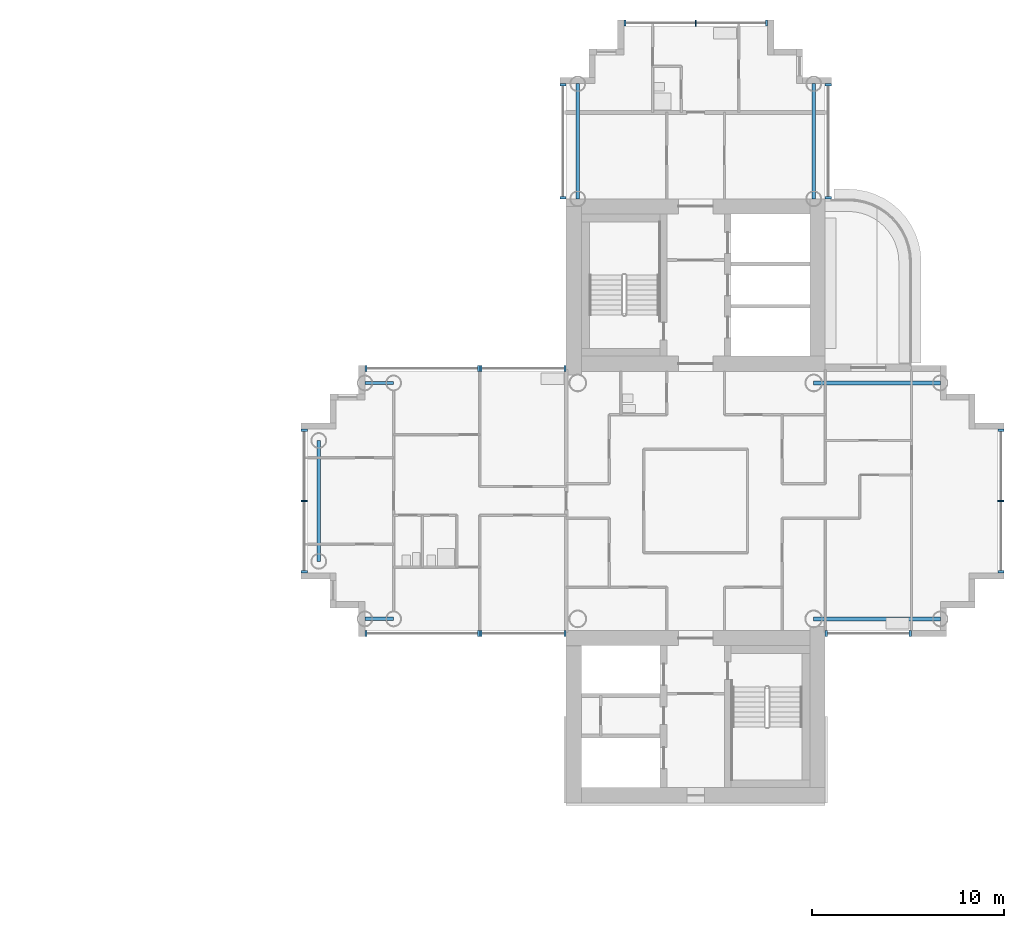
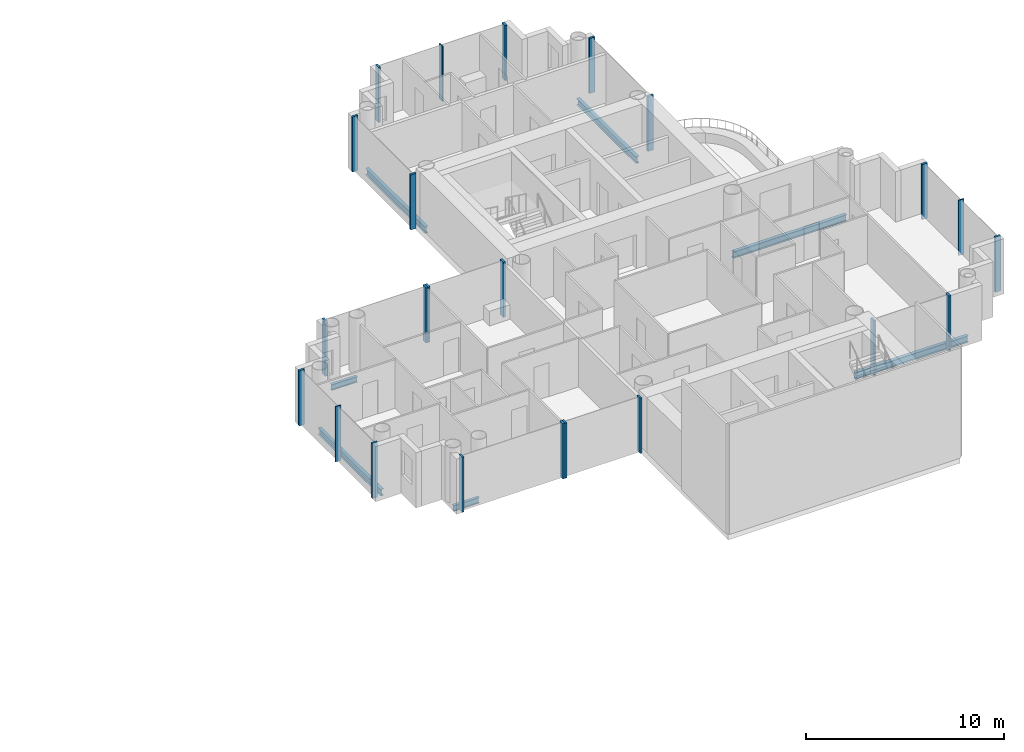
# One storey, part 4 of 20: 23 members, 7 beams, 10 elements without a shape of their own.
"""IFC4 building model written with IfcOpenShell, lengths in metres."""

import ifcopenshell
import ifcopenshell.guid

model = None  # the IFC model being written
_history = None  # IfcOwnerHistory: only IFC2X3 demands one
_inside = {}  # id of a spatial element -> (the spatial element, [elements in it])
_under = {}  # id of a project, library or spatial element -> (it, [spatial elements below it])
_declared = {}  # id of a project -> (the project, [libraries it declares])
_typed = {}  # id of a type object -> (the type object, [elements of that type])
_made_of = {}  # id of a material, layer set ... -> (it, [elements and type objects made of it])


def new_model(schema):
    """Start an empty IFC model of exactly this schema.

    Asked for "IFC4X3", IfcOpenShell would pick the latest addendum, in which some entities
    have other attributes; the version numbers below select the first issue.
    IFC2X3 requires an IfcOwnerHistory on every rooted entity: one is made here for all.
    """
    global model, _history
    if schema == "IFC4X3":
        model = ifcopenshell.file(schema_version=(4, 3, 0, 0))
    else:
        model = ifcopenshell.file(schema=schema)
    _inside.clear()
    _under.clear()
    _declared.clear()
    _typed.clear()
    _made_of.clear()
    _history = None
    if model.schema == "IFC2X3":
        org = make("IfcOrganization", Name="unknown")
        user = make(
            "IfcPersonAndOrganization",
            ThePerson=make("IfcPerson", FamilyName="unknown"),
            TheOrganization=org,
        )
        app = make(
            "IfcApplication",
            ApplicationDeveloper=org,
            Version="unknown",
            ApplicationFullName="unknown",
            ApplicationIdentifier="unknown",
        )
        _history = make(
            "IfcOwnerHistory",
            OwningUser=user,
            OwningApplication=app,
            ChangeAction="ADDED",
            CreationDate=0,
        )
    return model


def make(cls, **values):
    """One entity of the class cls with the attributes given. An attribute that is None is left unset."""
    return model.create_entity(
        cls, **{name: value for name, value in values.items() if value is not None}
    )


def rooted(cls, **values):
    """An entity with a GlobalId (a new one), such as an element, a storey or a relation."""
    return make(cls, GlobalId=ifcopenshell.guid.new(), OwnerHistory=_history, **values)


def si_unit(unit_type, name, prefix=None):
    """IfcSIUnit, for example si_unit("LENGTHUNIT", "METRE", prefix="MILLI")."""
    return make("IfcSIUnit", UnitType=unit_type, Prefix=prefix, Name=name)


def assignment(units):
    """IfcUnitAssignment: the units of a project."""
    return None if units is None else make("IfcUnitAssignment", Units=units)


def point(xyz):
    """IfcCartesianPoint."""
    return None if xyz is None else make("IfcCartesianPoint", Coordinates=xyz)


def direction(xyz):
    """IfcDirection."""
    return None if xyz is None else make("IfcDirection", DirectionRatios=xyz)


def frame(location, z_axis=None, x_axis=None):
    """IfcAxis2Placement3D, a coordinate frame: its origin and axes. An axis left out is left unset."""
    return make(
        "IfcAxis2Placement3D",
        Location=point(location),
        Axis=direction(z_axis),
        RefDirection=direction(x_axis),
    )


def frame_2d(location, x_axis=None):
    """IfcAxis2Placement2D, a coordinate frame in the plane: its origin and x axis."""
    return make(
        "IfcAxis2Placement2D", Location=point(location), RefDirection=direction(x_axis)
    )


def origin():
    """The frame at (0, 0, 0) with its axes left unset."""
    return frame((0.0, 0.0, 0.0))


def origin_2d():
    """The frame at (0, 0) in the plane with its x axis left unset."""
    return frame_2d((0.0, 0.0))


def place(relative_to, where):
    """IfcLocalPlacement: puts the frame where relative to a parent placement (None: the world)."""
    return make(
        "IfcLocalPlacement", PlacementRelTo=relative_to, RelativePlacement=where
    )


def context(
    kind, dimensions, precision=None, world=None, true_north=None, identifier=None
):
    """IfcGeometricRepresentationContext, for example the 3D "Model" context."""
    return make(
        "IfcGeometricRepresentationContext",
        ContextIdentifier=identifier,
        ContextType=kind,
        CoordinateSpaceDimension=dimensions,
        Precision=precision,
        WorldCoordinateSystem=world,
        TrueNorth=true_north,
    )


def subcontext(parent, identifier, kind, view, scale=None):
    """IfcGeometricRepresentationSubContext, for example "Body" below "Model"."""
    return make(
        "IfcGeometricRepresentationSubContext",
        ContextIdentifier=identifier,
        ContextType=kind,
        ParentContext=parent,
        TargetScale=scale,
        TargetView=view,
    )


def project(units=None, contexts=None):
    """IfcProject with its units and contexts."""
    return rooted(
        "IfcProject",
        Name="project",
        RepresentationContexts=contexts,
        UnitsInContext=assignment(units),
    )


def spatial(cls, under=None, at=None, **own):
    """A site, building, storey or space (cls), placed at a placement, below another one or the project."""
    s = rooted(cls, ObjectPlacement=at, **own)
    if under is not None:
        _under.setdefault(under.id(), (under, []))[1].append(s)
    return s


def profile(cls, at=None, kind="AREA", **sizes):
    """A parametric profile (cls). Its sizes go by their IFC names, for example OverallWidth=200.0."""
    return make(cls, ProfileType=kind, Position=at, **sizes)


def rectangle(**sizes):
    """IfcRectangleProfileDef."""
    return profile("IfcRectangleProfileDef", **sizes)


def i_section(**sizes):
    """IfcIShapeProfileDef."""
    return profile("IfcIShapeProfileDef", **sizes)


def extrude(swept, where, along, depth):
    """IfcExtrudedAreaSolid: the profile swept, set in the frame where, extruded along a direction by depth."""
    return make(
        "IfcExtrudedAreaSolid",
        SweptArea=swept,
        Position=where,
        ExtrudedDirection=direction(along),
        Depth=depth,
    )


def shape(context_of_items, identifier, shape_type, items):
    """IfcShapeRepresentation: the items that make up one representation, for example the "Body"."""
    return make(
        "IfcShapeRepresentation",
        ContextOfItems=context_of_items,
        RepresentationIdentifier=identifier,
        RepresentationType=shape_type,
        Items=items,
    )


def material(Name=None, Category=None):
    """IfcMaterial."""
    return make("IfcMaterial", Name=Name, Category=Category)


def layer(
    of_material, thickness, ventilated=None, Name=None, Category=None, Priority=None
):
    """IfcMaterialLayer: one layer of a wall or slab, of a material (None: an air gap)."""
    return make(
        "IfcMaterialLayer",
        Material=of_material,
        LayerThickness=thickness,
        IsVentilated=ventilated,
        Name=Name,
        Category=Category,
        Priority=Priority,
    )


def layer_set(layers, Name=None):
    """IfcMaterialLayerSet."""
    return make("IfcMaterialLayerSet", MaterialLayers=layers, LayerSetName=Name)


def material_profile(
    of_material, cross_section, Name=None, Category=None, Priority=None
):
    """IfcMaterialProfile: a cross section and its material."""
    return make(
        "IfcMaterialProfile",
        Name=Name,
        Material=of_material,
        Profile=cross_section,
        Priority=Priority,
        Category=Category,
    )


def profile_set(profiles, Name=None, composite=None):
    """IfcMaterialProfileSet."""
    return make(
        "IfcMaterialProfileSet",
        Name=Name,
        MaterialProfiles=profiles,
        CompositeProfile=composite,
    )


def made_of(thing, what):
    """Note that an element or type object is made of a material, layer set ...; save() writes the relation."""
    if what is not None:
        _made_of.setdefault(what.id(), (what, []))[1].append(thing)
    return thing


def type_object(cls, material=None, **own):
    """A type object (cls), such as IfcWallType, which elements share."""
    return made_of(rooted(cls, **own), material)


def element(
    cls,
    number,
    at=None,
    inside=None,
    cuts=None,
    type_object=None,
    material=None,
    context=None,
    identifier="Body",
    shape_type=None,
    held_by="IfcProductDefinitionShape",
    body=None,
    shapes=None,
    **own,
):
    """One element of the class cls, such as IfcWall. Its Tag is "e" and its number.

    at: its placement. inside: the storey or other place that contains it. cuts: it is an
    opening in that element (IfcRelVoidsElement). A single representation is given by context,
    identifier, shape_type and body (its items); several are given by shapes. held_by: the class
    of the entity that holds the representations. save() writes the other relations.
    """
    e = rooted(cls, Tag="e%d" % number, ObjectPlacement=at, **own)
    if body is not None:
        shapes = [shape(context, identifier, shape_type, body)]
    if shapes is not None:
        e.Representation = make(held_by, Representations=shapes)
    if inside is not None:
        _inside.setdefault(inside.id(), (inside, []))[1].append(e)
    if cuts is not None:
        rooted(
            "IfcRelVoidsElement", RelatingBuildingElement=cuts, RelatedOpeningElement=e
        )
    if type_object is not None:
        _typed.setdefault(type_object.id(), (type_object, []))[1].append(e)
    return made_of(e, material)


def aggregate(whole, parts):
    """IfcRelAggregates: a whole, such as a stair, and the parts it consists of."""
    return rooted("IfcRelAggregates", RelatingObject=whole, RelatedObjects=parts)


def save(model, path):
    """Write the relations noted so far, then the file.

    IfcRelAggregates (storeys below a building ...), IfcRelContainedInSpatialStructure (elements
    in a storey), IfcRelDefinesByType, IfcRelAssociatesMaterial and IfcRelDeclares: one each for
    every whole, place, type object, material and project.
    """
    for whole, parts in _under.values():
        aggregate(whole, parts)
    for where, things in _inside.values():
        rooted(
            "IfcRelContainedInSpatialStructure",
            RelatedElements=things,
            RelatingStructure=where,
        )
    for kind, things in _typed.values():
        rooted("IfcRelDefinesByType", RelatedObjects=things, RelatingType=kind)
    for what, things in _made_of.values():
        rooted("IfcRelAssociatesMaterial", RelatedObjects=things, RelatingMaterial=what)
    for by, libraries in _declared.values():
        rooted("IfcRelDeclares", RelatingContext=by, RelatedDefinitions=libraries)
    model.write(path)


model = new_model("IFC4")

# Units and contexts
model_context = context("Model", 3, precision=1e-05, world=origin(), true_north=direction((0.0, 1.0)))
body_context = subcontext(model_context, "Body", "Model", "MODEL_VIEW")
ifc_project = project(units=[si_unit("LENGTHUNIT", "METRE"), si_unit("AREAUNIT", "SQUARE_METRE"), si_unit("VOLUMEUNIT", "CUBIC_METRE"), si_unit("PLANEANGLEUNIT", "RADIAN"), si_unit("MASSUNIT", "GRAM", prefix="KILO")], contexts=[model_context])

# Site, building, storey
site_placement = place(None, origin())
site = spatial("IfcSite", under=ifc_project, at=site_placement, CompositionType="ELEMENT")
building_placement = place(site_placement, origin())
building = spatial("IfcBuilding", under=site, at=building_placement, Name="Ipe Terrace Towers", CompositionType="ELEMENT")
storey_placement = place(building_placement, frame((0.0, 0.0, 160.89990234375)))
storey = spatial("IfcBuildingStorey", under=building, at=storey_placement, Name="L44", CompositionType="ELEMENT", Elevation=160.89990234375)

# Beams
ifc_material_1 = material(Name="Steel S355", Category="steel")
ifc_material_profile_1 = material_profile(ifc_material_1, i_section(OverallWidth=0.175048828125, OverallDepth=0.35009765625, WebThickness=0.007080078125, FlangeThickness=0.010986328125, at=origin_2d()), Name="H-350x175x7x11")
ifc_profile_set_1 = profile_set([ifc_material_profile_1], Name="Steel S355")
beam_type_1 = type_object("IfcBeamType", Name="H04 EDGE BEAM H-350x175x7x11", PredefinedType="BEAM", material=ifc_profile_set_1)
for number, where, z_axis, x_axis, name in (
    (1, (20.25, 6.14990234375, -0.574951171875), (-1.0, 0.0, 0.0), (0.0, -1.0, 0.0), "Edge beam T2-EB-B03-B05"),
    (2, (20.25, -6.14990234375, -0.574951171875), (-1.0, 0.0, 0.0), (0.0, -1.0, 0.0), "Edge beam T2-EB-B04-B06"),
):
    element("IfcBeam", number, at=place(storey_placement, frame(where, z_axis=z_axis, x_axis=x_axis)), inside=storey, type_object=beam_type_1, Name=name, PredefinedType="BEAM", context=body_context, shape_type="SweptSolid", body=[
        extrude(i_section(OverallWidth=0.175048828125, OverallDepth=0.35009765625, WebThickness=0.007080078125, FlangeThickness=0.010986328125, at=origin_2d()), origin(), (0.0, 0.0, 1.0), 1.5),
    ])
ifc_material_2 = material(Name="Steel S355", Category="steel")
ifc_material_profile_2 = material_profile(ifc_material_2, i_section(OverallWidth=0.199951171875, OverallDepth=0.39990234375, WebThickness=0.008056640625, FlangeThickness=0.012939453125, at=origin_2d()), Name="H-400x200x8x13")
ifc_profile_set_2 = profile_set([ifc_material_profile_2], Name="Steel S355")
beam_type_2 = type_object("IfcBeamType", Name="H06 EDGE BEAM H-400x200x8x13", PredefinedType="BEAM", material=ifc_profile_set_2)
for number, where, z_axis, x_axis, name in (
    (3, (42.14990234375, 15.75, -0.599853515625), (0.0, 1.0, 0.0), (-1.0, 0.0, 0.0), "Edge beam T2-EB-A01-A03"),
    (4, (29.85009765625, 15.75, -0.599853515625), (0.0, 1.0, 0.0), (-1.0, 0.0, 0.0), "Edge beam T2-EB-A02-A04"),
):
    element("IfcBeam", number, at=place(storey_placement, frame(where, z_axis=z_axis, x_axis=x_axis)), inside=storey, type_object=beam_type_2, Name=name, PredefinedType="BEAM", context=body_context, shape_type="SweptSolid", body=[
        extrude(i_section(OverallWidth=0.199951171875, OverallDepth=0.39990234375, WebThickness=0.008056640625, FlangeThickness=0.012939453125, at=origin_2d()), origin(), (0.0, 0.0, 1.0), 6.0),
    ])
beam_placement = place(storey_placement, frame((16.35009765625, 3.14990234375, -0.599853515625), z_axis=(0.0, -1.0, 0.0), x_axis=(1.0, 0.0, 0.0)))
element("IfcBeam", 5, at=beam_placement, inside=storey, type_object=beam_type_2, Name="Edge beam T2-EB-B07-B08", PredefinedType="BEAM", context=body_context, shape_type="SweptSolid", body=[
    extrude(i_section(OverallWidth=0.199951171875, OverallDepth=0.39990234375, WebThickness=0.008056640625, FlangeThickness=0.012939453125, at=origin_2d()), origin(), (0.0, 0.0, 1.0), 6.2998046875),
])
for number, where, z_axis, x_axis, name in (
    (6, (48.75, -6.14990234375, -0.599853515625), (-1.0, 0.0, 0.0), (0.0, -1.0, 0.0), "Edge beam T2-EB-D01-E01"),
    (7, (48.75, 6.14990234375, -0.599853515625), (-1.0, 0.0, 0.0), (0.0, -1.0, 0.0), "Edge beam T2-EB-D02-E02"),
):
    element("IfcBeam", number, at=place(storey_placement, frame(where, z_axis=z_axis, x_axis=x_axis)), inside=storey, type_object=beam_type_2, Name=name, PredefinedType="BEAM", context=body_context, shape_type="SweptSolid", body=[
        extrude(i_section(OverallWidth=0.199951171875, OverallDepth=0.39990234375, WebThickness=0.008056640625, FlangeThickness=0.012939453125, at=origin_2d()), origin(), (0.0, 0.0, 1.0), 6.60009765625),
    ])

# Curtain wall, members
ifc_material_3 = material(Name="Aluminium alloy 6063-T6", Category="aluminium")
ifc_layer = layer(ifc_material_3, 0.320068359375)
ifc_layer_set = layer_set([ifc_layer], Name="TOWER UNITISED CURTAIN WALL")
curtain_wall_type = type_object("IfcCurtainWallType", Name="TOWER UNITISED CURTAIN WALL", PredefinedType="NOTDEFINED", material=ifc_layer_set)
curtain_wall_1_placement = place(storey_placement, origin())
curtain_wall_1 = element("IfcCurtainWall", 8, at=curtain_wall_1_placement, inside=storey, type_object=curtain_wall_type, Name="T2-CW-L44-02a curtain wall", PredefinedType="NOTDEFINED")
ifc_material_4 = material(Name="Aluminium alloy 6063-T6", Category="aluminium")
ifc_material_profile_3 = material_profile(ifc_material_4, rectangle(XDim=0.320068359375, YDim=0.1201171875, at=origin_2d()), Name="TOWER UNITISED CORNER MULLION 320 x 120")
ifc_profile_set_3 = profile_set([ifc_material_profile_3], Name="Aluminium alloy 6063-T6")
member_type_1 = type_object("IfcMemberType", Name="TOWER UNITISED CORNER MULLION 320 x 120", PredefinedType="MULLION", material=ifc_profile_set_3)
member_1_placement = place(storey_placement, frame((42.81005859375, -6.909912109375, -0.2998046875), z_axis=(0.0, 0.0, 1.0), x_axis=(0.0, -1.0, 0.0)))
member_1 = element("IfcMember", 9, at=member_1_placement, type_object=member_type_1, Name="T2-CW-L44-02a mullion 1", PredefinedType="MULLION", context=body_context, shape_type="SweptSolid", body=[
    extrude(rectangle(XDim=0.320068359375, YDim=0.1201171875, at=origin_2d()), origin(), (0.0, 0.0, 1.0), 3.39990234375),
])
member_2_placement = place(storey_placement, frame((47.18994140625, -6.909912109375, -0.2998046875), z_axis=(0.0, 0.0, 1.0), x_axis=(0.0, -1.0, 0.0)))
member_2 = element("IfcMember", 10, at=member_2_placement, type_object=member_type_1, Name="T2-CW-L44-02a mullion 2", PredefinedType="MULLION", context=body_context, shape_type="SweptSolid", body=[
    extrude(rectangle(XDim=0.320068359375, YDim=0.1201171875, at=origin_2d()), origin(), (0.0, 0.0, 1.0), 3.39990234375),
])
aggregate(curtain_wall_1, [member_1, member_2])

curtain_wall_2_placement = place(storey_placement, origin())
curtain_wall_2 = element("IfcCurtainWall", 11, at=curtain_wall_2_placement, inside=storey, type_object=curtain_wall_type, Name="T2-CW-L44-08a curtain wall", PredefinedType="NOTDEFINED")
member_3_placement = place(storey_placement, frame((51.909912109375, -3.68994140625, -0.2998046875), z_axis=(0.0, 0.0, 1.0), x_axis=(1.0, 0.0, 0.0)))
member_3 = element("IfcMember", 12, at=member_3_placement, type_object=member_type_1, Name="T2-CW-L44-08a mullion 1", PredefinedType="MULLION", context=body_context, shape_type="SweptSolid", body=[
    extrude(rectangle(XDim=0.320068359375, YDim=0.1201171875, at=origin_2d()), origin(), (0.0, 0.0, 1.0), 3.39990234375),
])
member_4_placement = place(storey_placement, frame((51.909912109375, 3.68994140625, -0.2998046875), z_axis=(0.0, 0.0, 1.0), x_axis=(1.0, 0.0, 0.0)))
member_4 = element("IfcMember", 13, at=member_4_placement, type_object=member_type_1, Name="T2-CW-L44-08a mullion 3", PredefinedType="MULLION", context=body_context, shape_type="SweptSolid", body=[
    extrude(rectangle(XDim=0.320068359375, YDim=0.1201171875, at=origin_2d()), origin(), (0.0, 0.0, 1.0), 3.39990234375),
])

curtain_wall_3_placement = place(storey_placement, origin())
curtain_wall_3 = element("IfcCurtainWall", 14, at=curtain_wall_3_placement, inside=storey, type_object=curtain_wall_type, Name="T2-CW-L44-16b curtain wall", PredefinedType="NOTDEFINED")
member_5_placement = place(storey_placement, frame((42.909912109375, 15.81103515625, -0.2998046875), z_axis=(0.0, 0.0, 1.0), x_axis=(1.0, 0.0, 0.0)))
member_5 = element("IfcMember", 15, at=member_5_placement, type_object=member_type_1, Name="T2-CW-L44-16b mullion 1", PredefinedType="MULLION", context=body_context, shape_type="SweptSolid", body=[
    extrude(rectangle(XDim=0.320068359375, YDim=0.1201171875, at=origin_2d()), origin(), (0.0, 0.0, 1.0), 3.39990234375),
])
member_6_placement = place(storey_placement, frame((42.909912109375, 21.68994140625, -0.2998046875), z_axis=(0.0, 0.0, 1.0), x_axis=(1.0, 0.0, 0.0)))
member_6 = element("IfcMember", 16, at=member_6_placement, type_object=member_type_1, Name="T2-CW-L44-16b mullion 2", PredefinedType="MULLION", context=body_context, shape_type="SweptSolid", body=[
    extrude(rectangle(XDim=0.320068359375, YDim=0.1201171875, at=origin_2d()), origin(), (0.0, 0.0, 1.0), 3.39990234375),
])
aggregate(curtain_wall_3, [member_5, member_6])

curtain_wall_4_placement = place(storey_placement, origin())
curtain_wall_4 = element("IfcCurtainWall", 17, at=curtain_wall_4_placement, inside=storey, type_object=curtain_wall_type, Name="T2-CW-L44-21a curtain wall", PredefinedType="NOTDEFINED")
member_7_placement = place(storey_placement, frame((39.68994140625, 24.909912109375, -0.2998046875), z_axis=(0.0, 0.0, 1.0), x_axis=(0.0, 1.0, 0.0)))
member_7 = element("IfcMember", 18, at=member_7_placement, type_object=member_type_1, Name="T2-CW-L44-21a mullion 1", PredefinedType="MULLION", context=body_context, shape_type="SweptSolid", body=[
    extrude(rectangle(XDim=0.320068359375, YDim=0.1201171875, at=origin_2d()), origin(), (0.0, 0.0, 1.0), 3.39990234375),
])
member_8_placement = place(storey_placement, frame((32.31005859375, 24.909912109375, -0.2998046875), z_axis=(0.0, 0.0, 1.0), x_axis=(0.0, 1.0, 0.0)))
member_8 = element("IfcMember", 19, at=member_8_placement, type_object=member_type_1, Name="T2-CW-L44-21a mullion 3", PredefinedType="MULLION", context=body_context, shape_type="SweptSolid", body=[
    extrude(rectangle(XDim=0.320068359375, YDim=0.1201171875, at=origin_2d()), origin(), (0.0, 0.0, 1.0), 3.39990234375),
])

curtain_wall_5_placement = place(storey_placement, origin())
curtain_wall_5 = element("IfcCurtainWall", 20, at=curtain_wall_5_placement, inside=storey, type_object=curtain_wall_type, Name="T2-CW-L44-26a curtain wall", PredefinedType="NOTDEFINED")
member_9_placement = place(storey_placement, frame((29.090087890625, 21.68994140625, -0.2998046875), z_axis=(0.0, 0.0, 1.0), x_axis=(-1.0, 0.0, 0.0)))
member_9 = element("IfcMember", 21, at=member_9_placement, type_object=member_type_1, Name="T2-CW-L44-26a mullion 1", PredefinedType="MULLION", context=body_context, shape_type="SweptSolid", body=[
    extrude(rectangle(XDim=0.320068359375, YDim=0.1201171875, at=origin_2d()), origin(), (0.0, 0.0, 1.0), 3.39990234375),
])
member_10_placement = place(storey_placement, frame((29.090087890625, 15.81103515625, -0.2998046875), z_axis=(0.0, 0.0, 1.0), x_axis=(-1.0, 0.0, 0.0)))
member_10 = element("IfcMember", 22, at=member_10_placement, type_object=member_type_1, Name="T2-CW-L44-26a mullion 2", PredefinedType="MULLION", context=body_context, shape_type="SweptSolid", body=[
    extrude(rectangle(XDim=0.320068359375, YDim=0.1201171875, at=origin_2d()), origin(), (0.0, 0.0, 1.0), 3.39990234375),
])
aggregate(curtain_wall_5, [member_9, member_10])

curtain_wall_6_placement = place(storey_placement, origin())
curtain_wall_6 = element("IfcCurtainWall", 23, at=curtain_wall_6_placement, inside=storey, type_object=curtain_wall_type, Name="T2-CW-L44-28a curtain wall", PredefinedType="NOTDEFINED")
member_11_placement = place(storey_placement, frame((29.18994140625, 6.909912109375, -0.2998046875), z_axis=(0.0, 0.0, 1.0), x_axis=(0.0, 1.0, 0.0)))
member_11 = element("IfcMember", 24, at=member_11_placement, type_object=member_type_1, Name="T2-CW-L44-28a mullion 1", PredefinedType="MULLION", context=body_context, shape_type="SweptSolid", body=[
    extrude(rectangle(XDim=0.320068359375, YDim=0.1201171875, at=origin_2d()), origin(), (0.0, 0.0, 1.0), 3.39990234375),
])
member_12_placement = place(storey_placement, frame((24.81005859375, 6.909912109375, -0.2998046875), z_axis=(0.0, 0.0, 1.0), x_axis=(0.0, 1.0, 0.0)))
member_12 = element("IfcMember", 25, at=member_12_placement, type_object=member_type_1, Name="T2-CW-L44-28a mullion 2", PredefinedType="MULLION", context=body_context, shape_type="SweptSolid", body=[
    extrude(rectangle(XDim=0.320068359375, YDim=0.1201171875, at=origin_2d()), origin(), (0.0, 0.0, 1.0), 3.39990234375),
])
aggregate(curtain_wall_6, [member_11, member_12])

curtain_wall_7_placement = place(storey_placement, origin())
curtain_wall_7 = element("IfcCurtainWall", 26, at=curtain_wall_7_placement, inside=storey, type_object=curtain_wall_type, Name="T2-CW-L44-29a curtain wall", PredefinedType="NOTDEFINED")
member_13_placement = place(storey_placement, frame((24.68994140625, 6.909912109375, -0.2998046875), z_axis=(0.0, 0.0, 1.0), x_axis=(0.0, 1.0, 0.0)))
member_13 = element("IfcMember", 27, at=member_13_placement, type_object=member_type_1, Name="T2-CW-L44-29a mullion 1", PredefinedType="MULLION", context=body_context, shape_type="SweptSolid", body=[
    extrude(rectangle(XDim=0.320068359375, YDim=0.1201171875, at=origin_2d()), origin(), (0.0, 0.0, 1.0), 3.39990234375),
])
member_14_placement = place(storey_placement, frame((18.81005859375, 6.909912109375, -0.2998046875), z_axis=(0.0, 0.0, 1.0), x_axis=(0.0, 1.0, 0.0)))
member_14 = element("IfcMember", 28, at=member_14_placement, type_object=member_type_1, Name="T2-CW-L44-29a mullion 2", PredefinedType="MULLION", context=body_context, shape_type="SweptSolid", body=[
    extrude(rectangle(XDim=0.320068359375, YDim=0.1201171875, at=origin_2d()), origin(), (0.0, 0.0, 1.0), 3.39990234375),
])
aggregate(curtain_wall_7, [member_13, member_14])

curtain_wall_8_placement = place(storey_placement, origin())
curtain_wall_8 = element("IfcCurtainWall", 29, at=curtain_wall_8_placement, inside=storey, type_object=curtain_wall_type, Name="T2-CW-L44-34a curtain wall", PredefinedType="NOTDEFINED")
member_15_placement = place(storey_placement, frame((15.590087890625, 3.68994140625, -0.2998046875), z_axis=(0.0, 0.0, 1.0), x_axis=(-1.0, 0.0, 0.0)))
member_15 = element("IfcMember", 30, at=member_15_placement, type_object=member_type_1, Name="T2-CW-L44-34a mullion 1", PredefinedType="MULLION", context=body_context, shape_type="SweptSolid", body=[
    extrude(rectangle(XDim=0.320068359375, YDim=0.1201171875, at=origin_2d()), origin(), (0.0, 0.0, 1.0), 3.39990234375),
])
member_16_placement = place(storey_placement, frame((15.590087890625, -3.68994140625, -0.2998046875), z_axis=(0.0, 0.0, 1.0), x_axis=(-1.0, 0.0, 0.0)))
member_16 = element("IfcMember", 31, at=member_16_placement, type_object=member_type_1, Name="T2-CW-L44-34a mullion 3", PredefinedType="MULLION", context=body_context, shape_type="SweptSolid", body=[
    extrude(rectangle(XDim=0.320068359375, YDim=0.1201171875, at=origin_2d()), origin(), (0.0, 0.0, 1.0), 3.39990234375),
])

curtain_wall_9_placement = place(storey_placement, origin())
curtain_wall_9 = element("IfcCurtainWall", 32, at=curtain_wall_9_placement, inside=storey, type_object=curtain_wall_type, Name="T2-CW-L44-39a curtain wall", PredefinedType="NOTDEFINED")
member_17_placement = place(storey_placement, frame((18.81005859375, -6.909912109375, -0.2998046875), z_axis=(0.0, 0.0, 1.0), x_axis=(0.0, -1.0, 0.0)))
member_17 = element("IfcMember", 33, at=member_17_placement, type_object=member_type_1, Name="T2-CW-L44-39a mullion 1", PredefinedType="MULLION", context=body_context, shape_type="SweptSolid", body=[
    extrude(rectangle(XDim=0.320068359375, YDim=0.1201171875, at=origin_2d()), origin(), (0.0, 0.0, 1.0), 3.39990234375),
])
member_18_placement = place(storey_placement, frame((24.68994140625, -6.909912109375, -0.2998046875), z_axis=(0.0, 0.0, 1.0), x_axis=(0.0, -1.0, 0.0)))
member_18 = element("IfcMember", 34, at=member_18_placement, type_object=member_type_1, Name="T2-CW-L44-39a mullion 2", PredefinedType="MULLION", context=body_context, shape_type="SweptSolid", body=[
    extrude(rectangle(XDim=0.320068359375, YDim=0.1201171875, at=origin_2d()), origin(), (0.0, 0.0, 1.0), 3.39990234375),
])
aggregate(curtain_wall_9, [member_17, member_18])

curtain_wall_10_placement = place(storey_placement, origin())
curtain_wall_10 = element("IfcCurtainWall", 35, at=curtain_wall_10_placement, inside=storey, type_object=curtain_wall_type, Name="T2-CW-L44-40a curtain wall", PredefinedType="NOTDEFINED")
member_19_placement = place(storey_placement, frame((24.81005859375, -6.909912109375, -0.2998046875), z_axis=(0.0, 0.0, 1.0), x_axis=(0.0, -1.0, 0.0)))
member_19 = element("IfcMember", 36, at=member_19_placement, type_object=member_type_1, Name="T2-CW-L44-40a mullion 1", PredefinedType="MULLION", context=body_context, shape_type="SweptSolid", body=[
    extrude(rectangle(XDim=0.320068359375, YDim=0.1201171875, at=origin_2d()), origin(), (0.0, 0.0, 1.0), 3.39990234375),
])
member_20_placement = place(storey_placement, frame((29.18994140625, -6.909912109375, -0.2998046875), z_axis=(0.0, 0.0, 1.0), x_axis=(0.0, -1.0, 0.0)))
member_20 = element("IfcMember", 37, at=member_20_placement, type_object=member_type_1, Name="T2-CW-L44-40a mullion 2", PredefinedType="MULLION", context=body_context, shape_type="SweptSolid", body=[
    extrude(rectangle(XDim=0.320068359375, YDim=0.1201171875, at=origin_2d()), origin(), (0.0, 0.0, 1.0), 3.39990234375),
])
aggregate(curtain_wall_10, [member_19, member_20])

# Member
ifc_material_5 = material(Name="Aluminium alloy 6063-T6", Category="aluminium")
ifc_material_profile_4 = material_profile(ifc_material_5, rectangle(XDim=0.320068359375, YDim=0.06494140625, at=origin_2d()), Name="TOWER UNITISED MULLION 320 x 65")
ifc_profile_set_4 = profile_set([ifc_material_profile_4], Name="Aluminium alloy 6063-T6")
member_type_2 = type_object("IfcMemberType", Name="TOWER UNITISED MULLION 320 x 65", PredefinedType="MULLION", material=ifc_profile_set_4)
member_21_placement = place(storey_placement, frame((51.909912109375, 0.0, -0.2998046875), z_axis=(0.0, 0.0, 1.0), x_axis=(1.0, 0.0, 0.0)))
member_21 = element("IfcMember", 38, at=member_21_placement, type_object=member_type_2, Name="T2-CW-L44-08a mullion 2", PredefinedType="MULLION", context=body_context, shape_type="SweptSolid", body=[
    extrude(rectangle(XDim=0.320068359375, YDim=0.06494140625, at=origin_2d()), origin(), (0.0, 0.0, 1.0), 3.39990234375),
])

aggregate(curtain_wall_2, [member_3, member_21, member_4])

member_22_placement = place(storey_placement, frame((36.0, 24.909912109375, -0.2998046875), z_axis=(0.0, 0.0, 1.0), x_axis=(0.0, 1.0, 0.0)))
member_22 = element("IfcMember", 39, at=member_22_placement, type_object=member_type_2, Name="T2-CW-L44-21a mullion 2", PredefinedType="MULLION", context=body_context, shape_type="SweptSolid", body=[
    extrude(rectangle(XDim=0.320068359375, YDim=0.06494140625, at=origin_2d()), origin(), (0.0, 0.0, 1.0), 3.39990234375),
])

aggregate(curtain_wall_4, [member_7, member_22, member_8])

member_23_placement = place(storey_placement, frame((15.590087890625, 0.0, -0.2998046875), z_axis=(0.0, 0.0, 1.0), x_axis=(-1.0, 0.0, 0.0)))
member_23 = element("IfcMember", 40, at=member_23_placement, type_object=member_type_2, Name="T2-CW-L44-34a mullion 2", PredefinedType="MULLION", context=body_context, shape_type="SweptSolid", body=[
    extrude(rectangle(XDim=0.320068359375, YDim=0.06494140625, at=origin_2d()), origin(), (0.0, 0.0, 1.0), 3.39990234375),
])

aggregate(curtain_wall_8, [member_15, member_23, member_16])

save(model, "model.ifc")
